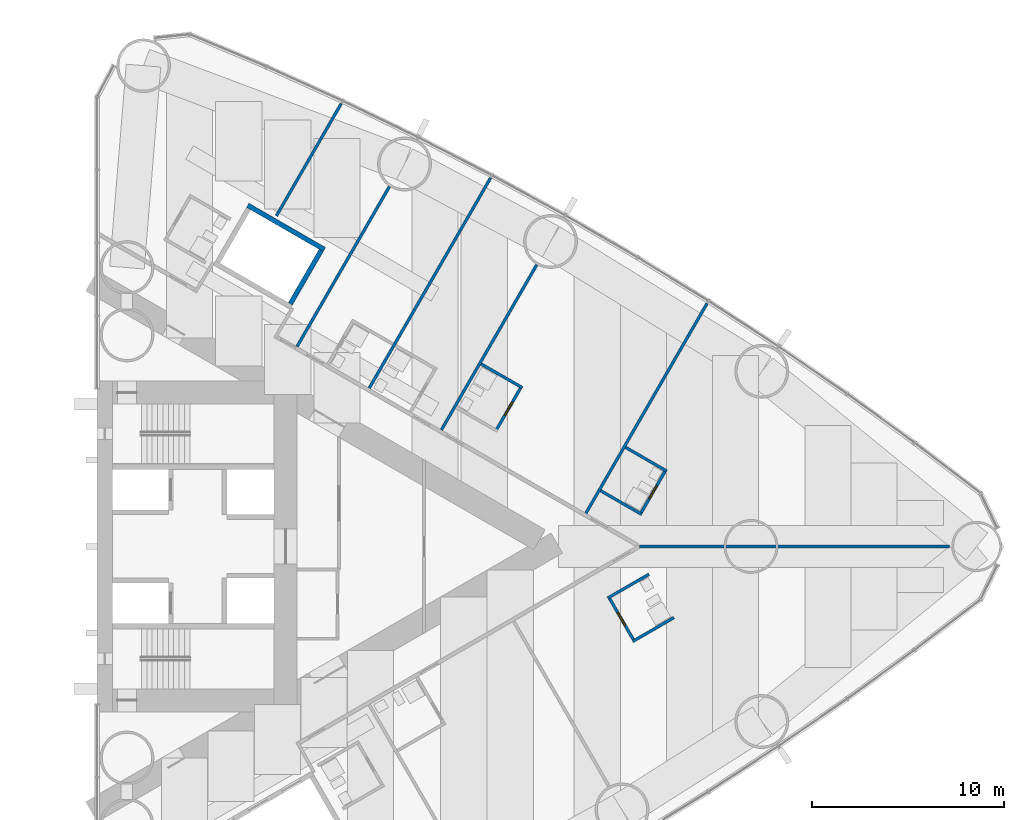
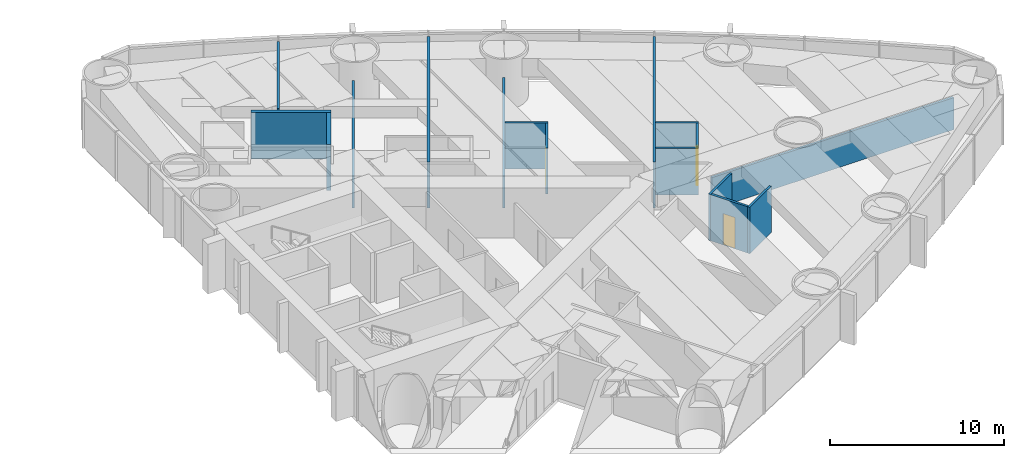
# One storey, part 15 of 18: 16 walls, 3 doors, 3 openings.
"""IFC4 building model written with IfcOpenShell, lengths in metres."""

from ifc_helpers import new_model, si_unit, direction, frame, frame_2d, origin, place, context, subcontext, project, spatial, rectangle, extrude, material, layer, layer_set, type_object, element, fill, save


model = new_model("IFC4")

# Units and contexts
model_context = context("Model", 3, precision=1e-05, world=origin(), true_north=direction((0.0, 1.0)))
body_context = subcontext(model_context, "Body", "Model", "MODEL_VIEW")
ifc_project = project(units=[si_unit("LENGTHUNIT", "METRE"), si_unit("AREAUNIT", "SQUARE_METRE"), si_unit("VOLUMEUNIT", "CUBIC_METRE"), si_unit("PLANEANGLEUNIT", "RADIAN"), si_unit("MASSUNIT", "GRAM", prefix="KILO")], contexts=[model_context])

# Site, building, storey
site_placement = place(None, origin())
site = spatial("IfcSite", under=ifc_project, at=site_placement, CompositionType="ELEMENT")
building_placement = place(site_placement, origin())
building = spatial("IfcBuilding", under=site, at=building_placement, Name="Lancet Gate Hotel", CompositionType="ELEMENT")
storey_placement = place(building_placement, frame((0.0, 0.0, 46.0)))
storey = spatial("IfcBuildingStorey", under=building, at=storey_placement, Name="L11", CompositionType="ELEMENT", Elevation=46.0)

# Wall
ifc_material_1 = material(Name="Moisture resistant board partition")
ifc_layer_1 = layer(ifc_material_1, 0.14990234375)
ifc_layer_set_1 = layer_set([ifc_layer_1], Name="Bathroom wall 150")
wall_type_1 = type_object("IfcWallType", Name="Bathroom wall 150", PredefinedType="PARTITIONING", material=ifc_layer_set_1)
wall_1_placement = place(storey_placement, frame((55.34912109375, -4.938232421875, 0.0), z_axis=(0.0, 0.0, 1.0), x_axis=(0.866006523861, 0.500032699561, 0.0)))
element("IfcWall", 1, at=wall_1_placement, inside=storey, type_object=wall_type_1, Name="T2 bathroom wall 150 L11", PredefinedType="PARTITIONING", context=body_context, shape_type="SweptSolid", body=[
    extrude(rectangle(XDim=2.474853515625, YDim=0.14990234375, at=frame_2d((1.2373046875, 0.0))), origin(), (0.0, 0.0, 1.0), 3.25),
])

# Wall, opening, door
wall_2_placement = place(storey_placement, frame((54.114013671875, -2.64892578125, 0.0), z_axis=(0.0, 0.0, 1.0), x_axis=(0.500006934395, -0.866021400173, 0.0)))
wall_2 = element("IfcWall", 2, at=wall_2_placement, inside=storey, type_object=wall_type_1, Name="T2 bathroom wall 150 L11", PredefinedType="PARTITIONING", context=body_context, shape_type="SweptSolid", body=[
    extrude(rectangle(XDim=2.60009765625, YDim=0.14990234375, at=frame_2d((1.300048828125, 0.0))), origin(), (0.0, 0.0, 1.0), 3.25),
])
opening_1_placement = place(wall_2_placement, frame((0.89990234375, 0.0, 0.0)))
opening_1 = element("IfcOpeningElement", 3, at=opening_1_placement, cuts=wall_2, Name="Opening 1156-B", PredefinedType="OPENING", context=body_context, shape_type="SweptSolid", body=[
    extrude(rectangle(XDim=0.800048828125, YDim=2.199951171875, at=frame_2d((0.39990234375, 1.10009765625))), frame((0.0, 0.0849609375, 0.0), z_axis=(0.0, -1.0, 0.0), x_axis=(1.0, 0.0, 0.0)), (0.0, 0.0, 1.0), 0.169921875),
])
ifc_material_2 = material(Name="Timber door set", Category="wood")
door_type = type_object("IfcDoorType", Name="Bathroom door 800", OperationType="SINGLE_SWING_RIGHT", PredefinedType="DOOR", material=ifc_material_2)
door_1_placement = place(opening_1_placement, origin())
door_1 = element("IfcDoor", 4, at=door_1_placement, inside=storey, type_object=door_type, Name="1156-B", OperationType="SINGLE_SWING_RIGHT", OverallHeight=2.199951171875, OverallWidth=0.800048828125, PredefinedType="DOOR", context=body_context, shape_type="SweptSolid", body=[
    extrude(rectangle(XDim=0.800048828125, YDim=2.199951171875, at=frame_2d((0.39990234375, 1.10009765625))), frame((0.0, 0.02490234375, 0.0), z_axis=(0.0, -1.0, 0.0), x_axis=(1.0, 0.0, 0.0)), (0.0, 0.0, 1.0), 0.050048828125),
])
fill(opening_1, door_1)

# Walls
for number, where, z_axis, x_axis, name in (
    (5, (54.049072265625, -2.6865234375, 0.0), (0.0, 0.0, 1.0), (0.866006523861, 0.500032699561, 0.0), "T2 bathroom wall 150 L11"),
    (6, (54.979736328125, 5.1513671875, 0.0), (0.0, 0.0, 1.0), (0.86604923931, -0.499958713387, 0.0), "T2 bathroom wall 150 L11"),
):
    element("IfcWall", number, at=place(storey_placement, frame(where, z_axis=z_axis, x_axis=x_axis)), inside=storey, type_object=wall_type_1, Name=name, PredefinedType="PARTITIONING", context=body_context, shape_type="SweptSolid", body=[
        extrude(rectangle(XDim=2.474853515625, YDim=0.14990234375, at=frame_2d((1.2373046875, 0.0))), origin(), (0.0, 0.0, 1.0), 3.25),
    ])

# Wall, opening, door
wall_3_placement = place(storey_placement, frame((55.758056640625, 1.69970703125, 0.0), z_axis=(0.0, 0.0, 1.0), x_axis=(0.500006934395, 0.866021400173, 0.0)))
wall_3 = element("IfcWall", 7, at=wall_3_placement, inside=storey, type_object=wall_type_1, Name="T2 bathroom wall 150 L11", PredefinedType="PARTITIONING", context=body_context, shape_type="SweptSolid", body=[
    extrude(rectangle(XDim=2.60009765625, YDim=0.14990234375, at=frame_2d((1.300048828125, 0.0))), origin(), (0.0, 0.0, 1.0), 3.25),
])
opening_2_placement = place(wall_3_placement, frame((0.89990234375, 0.0, 0.0)))
opening_2 = element("IfcOpeningElement", 8, at=opening_2_placement, cuts=wall_3, Name="Opening 1158-B", PredefinedType="OPENING", context=body_context, shape_type="SweptSolid", body=[
    extrude(rectangle(XDim=0.800048828125, YDim=2.199951171875, at=frame_2d((0.39990234375, 1.10009765625))), frame((0.0, 0.0849609375, 0.0), z_axis=(0.0, -1.0, 0.0), x_axis=(1.0, 0.0, 0.0)), (0.0, 0.0, 1.0), 0.169921875),
])
door_2_placement = place(opening_2_placement, origin())
door_2 = element("IfcDoor", 9, at=door_2_placement, inside=storey, type_object=door_type, Name="1158-B", OperationType="SINGLE_SWING_RIGHT", OverallHeight=2.199951171875, OverallWidth=0.800048828125, PredefinedType="DOOR", context=body_context, shape_type="SweptSolid", body=[
    extrude(rectangle(XDim=0.800048828125, YDim=2.199951171875, at=frame_2d((0.39990234375, 1.10009765625))), frame((0.0, 0.02490234375, 0.0), z_axis=(0.0, -1.0, 0.0), x_axis=(1.0, 0.0, 0.0)), (0.0, 0.0, 1.0), 0.050048828125),
])
fill(opening_2, door_2)

# Walls
for number, where, z_axis, x_axis, name in (
    (10, (53.6796875, 2.89990234375, 0.0), (0.0, 0.0, 1.0), (0.866006523861, -0.500032699561, 0.0), "T2 bathroom wall 150 L11"),
    (11, (47.468017578125, 9.48828125, 0.0), (0.0, 0.0, 1.0), (0.86604923931, -0.499958713387, 0.0), "T2 bathroom wall 150 L11"),
):
    element("IfcWall", number, at=place(storey_placement, frame(where, z_axis=z_axis, x_axis=x_axis)), inside=storey, type_object=wall_type_1, Name=name, PredefinedType="PARTITIONING", context=body_context, shape_type="SweptSolid", body=[
        extrude(rectangle(XDim=2.474853515625, YDim=0.14990234375, at=frame_2d((1.2373046875, 0.0))), origin(), (0.0, 0.0, 1.0), 3.25),
    ])

# Wall, opening, door
wall_4_placement = place(storey_placement, frame((48.246337890625, 6.03662109375, 0.0), z_axis=(0.0, 0.0, 1.0), x_axis=(0.500006934395, 0.866021400173, 0.0)))
wall_4 = element("IfcWall", 12, at=wall_4_placement, inside=storey, type_object=wall_type_1, Name="T2 bathroom wall 150 L11", PredefinedType="PARTITIONING", context=body_context, shape_type="SweptSolid", body=[
    extrude(rectangle(XDim=2.60009765625, YDim=0.14990234375, at=frame_2d((1.300048828125, 0.0))), origin(), (0.0, 0.0, 1.0), 3.25),
])
opening_3_placement = place(wall_4_placement, frame((0.89990234375, 0.0, 0.0)))
opening_3 = element("IfcOpeningElement", 13, at=opening_3_placement, cuts=wall_4, Name="Opening 1159-B", PredefinedType="OPENING", context=body_context, shape_type="SweptSolid", body=[
    extrude(rectangle(XDim=0.800048828125, YDim=2.199951171875, at=frame_2d((0.39990234375, 1.10009765625))), frame((0.0, 0.0849609375, 0.0), z_axis=(0.0, -1.0, 0.0), x_axis=(1.0, 0.0, 0.0)), (0.0, 0.0, 1.0), 0.169921875),
])
door_3_placement = place(opening_3_placement, origin())
door_3 = element("IfcDoor", 14, at=door_3_placement, inside=storey, type_object=door_type, Name="1159-B", OperationType="SINGLE_SWING_RIGHT", OverallHeight=2.199951171875, OverallWidth=0.800048828125, PredefinedType="DOOR", context=body_context, shape_type="SweptSolid", body=[
    extrude(rectangle(XDim=0.800048828125, YDim=2.199951171875, at=frame_2d((0.39990234375, 1.10009765625))), frame((0.0, 0.02490234375, 0.0), z_axis=(0.0, -1.0, 0.0), x_axis=(1.0, 0.0, 0.0)), (0.0, 0.0, 1.0), 0.050048828125),
])
fill(opening_3, door_3)

# Walls
ifc_material_3 = material(Name="Gypsum board partition")
ifc_layer_2 = layer(ifc_material_3, 0.25)
ifc_layer_set_2 = layer_set([ifc_layer_2], Name="Lift shaft partition 250")
wall_type_2 = type_object("IfcWallType", Name="Lift shaft partition 250", PredefinedType="PARTITIONING", material=ifc_layer_set_2)
wall_5_placement = place(storey_placement, frame((35.33349609375, 17.73583984375, 0.0), z_axis=(0.0, 0.0, 1.0), x_axis=(0.866043305498, -0.49996899204, 0.0)))
element("IfcWall", 15, at=wall_5_placement, inside=storey, type_object=wall_type_2, Name="T2 lift shaft wall EX L11", PredefinedType="PARTITIONING", context=body_context, shape_type="SweptSolid", body=[
    extrude(rectangle(XDim=4.600341796875, YDim=0.25, at=frame_2d((2.30029296875, 0.0))), origin(), (0.0, 0.0, 1.0), 3.25),
])
wall_6_placement = place(storey_placement, frame((37.546630859375, 12.617919921875, 0.0), z_axis=(0.0, 0.0, 1.0), x_axis=(0.499929347863, 0.866066190972, 0.0)))
element("IfcWall", 16, at=wall_6_placement, inside=storey, type_object=wall_type_2, Name="T2 lift shaft wall EX L11", PredefinedType="PARTITIONING", context=body_context, shape_type="SweptSolid", body=[
    extrude(rectangle(XDim=3.20068359375, YDim=0.25, at=frame_2d((1.600341796875, 0.0))), origin(), (0.0, 0.0, 1.0), 3.25),
])
ifc_material_4 = material(Name="Gypsum board partition")
ifc_layer_3 = layer(ifc_material_4, 0.14990234375)
ifc_layer_set_3 = layer_set([ifc_layer_3], Name="Party wall 150")
wall_type_3 = type_object("IfcWallType", Name="Party wall 150", PredefinedType="PARTITIONING", material=ifc_layer_set_3)
wall_7_placement = place(storey_placement, frame((37.895263671875, 10.396484375, 0.0), z_axis=(0.0, 0.0, 1.0), x_axis=(0.499995616528, 0.866027934568, 0.0)))
element("IfcWall", 17, at=wall_7_placement, inside=storey, type_object=wall_type_3, Name="T2 party wall 150 L11", PredefinedType="PARTITIONING", context=body_context, shape_type="SweptSolid", body=[
    extrude(rectangle(XDim=9.59326171875, YDim=0.14990234375, at=frame_2d((4.796630859375, 0.0))), origin(), (0.0, 0.0, 1.0), 2.25),
])
wall_8_placement = place(storey_placement, frame((41.6474609375, 8.22998046875, 0.0), z_axis=(0.0, 0.0, 1.0), x_axis=(0.49998590462, 0.866033541603, 0.0)))
element("IfcWall", 18, at=wall_8_placement, inside=storey, type_object=wall_type_3, Name="T2 party wall 150 L11", PredefinedType="PARTITIONING", context=body_context, shape_type="SweptSolid", body=[
    extrude(rectangle(XDim=12.620849609375, YDim=0.14990234375, at=frame_2d((6.310546875, 0.0))), origin(), (0.0, 0.0, 1.0), 3.25),
])
wall_9_placement = place(storey_placement, frame((45.40283203125, 6.061767578125, 0.0), z_axis=(0.0, 0.0, 1.0), x_axis=(0.500013434677, 0.866017647131, 0.0)))
element("IfcWall", 19, at=wall_9_placement, inside=storey, type_object=wall_type_3, Name="T2 party wall 150 L11", PredefinedType="PARTITIONING", context=body_context, shape_type="SweptSolid", body=[
    extrude(rectangle(XDim=9.901611328125, YDim=0.14990234375, at=frame_2d((4.95068359375, 0.0))), origin(), (0.0, 0.0, 1.0), 2.25),
])
wall_10_placement = place(storey_placement, frame((52.914794921875, 1.724853515625, 0.0), z_axis=(0.0, 0.0, 1.0), x_axis=(0.499997163113, 0.866027041656, 0.0)))
element("IfcWall", 20, at=wall_10_placement, inside=storey, type_object=wall_type_3, Name="T2 party wall 150 L11", PredefinedType="PARTITIONING", context=body_context, shape_type="SweptSolid", body=[
    extrude(rectangle(XDim=12.5908203125, YDim=0.14990234375, at=frame_2d((6.29541015625, 0.0))), origin(), (0.0, 0.0, 1.0), 3.25),
])
wall_11_placement = place(storey_placement, frame((55.7021484375, 0.0, 0.0), z_axis=(0.0, 0.0, 1.0), x_axis=(1.0, 0.0, 0.0)))
element("IfcWall", 21, at=wall_11_placement, inside=storey, type_object=wall_type_3, Name="T2 party wall 150 L11", PredefinedType="PARTITIONING", context=body_context, shape_type="SweptSolid", body=[
    extrude(rectangle(XDim=16.116943359375, YDim=0.14990234375, at=frame_2d((8.05859375, 0.0))), origin(), (0.0, 0.0, 1.0), 2.25),
])
wall_12_placement = place(storey_placement, frame((36.823974609375, 17.19287109375, 0.0), z_axis=(0.0, 0.0, 1.0), x_axis=(0.500027691974, 0.866009415226, 0.0)))
element("IfcWall", 22, at=wall_12_placement, inside=storey, type_object=wall_type_3, Name="T2 party wall 150 L11", PredefinedType="PARTITIONING", context=body_context, shape_type="SweptSolid", body=[
    extrude(rectangle(XDim=6.73876953125, YDim=0.14990234375, at=frame_2d((3.369384765625, 0.0))), origin(), (0.0, 0.0, 1.0), 3.25),
])

save(model, "model.ifc")
